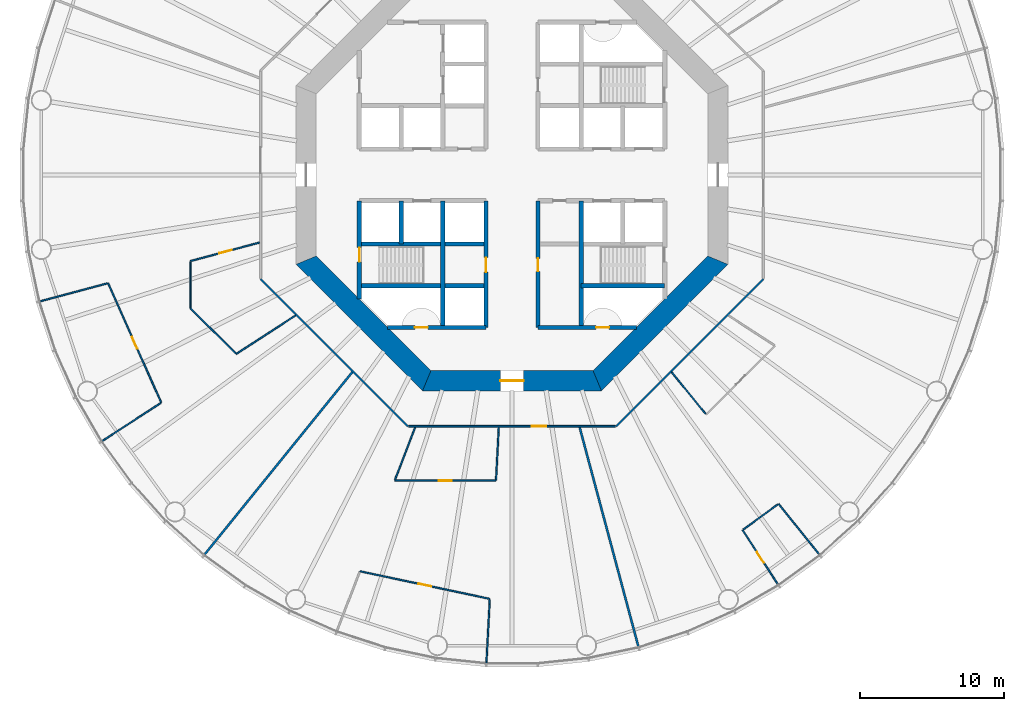
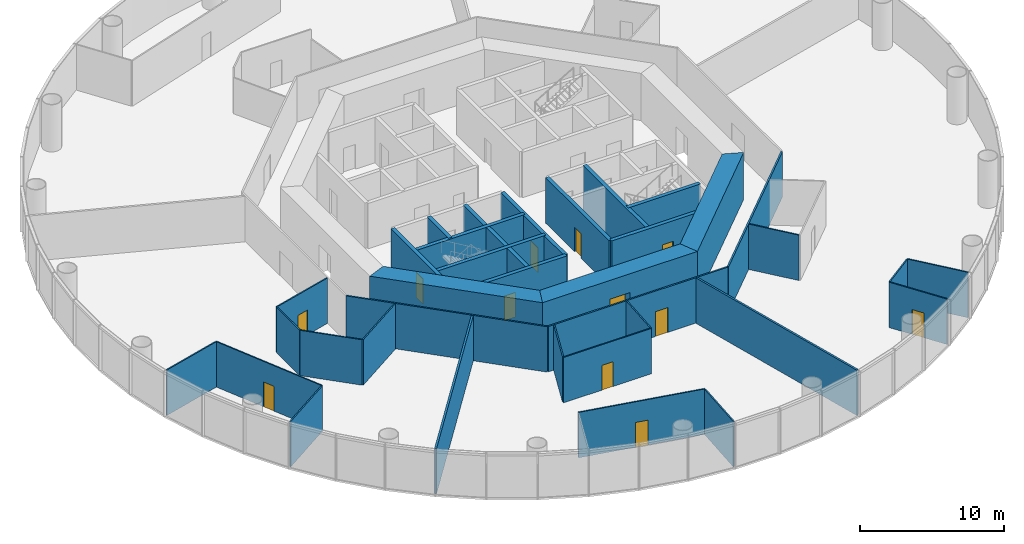
# One storey, part 3 of 13: 35 walls, 12 doors, 12 openings.
"""IFC4 building model written with IfcOpenShell, lengths in metres."""

from ifc_helpers import new_model, si_unit, direction, frame, frame_2d, origin, place, context, subcontext, project, spatial, polyline, rectangle, outline, extrude, material, layer, layer_set, type_object, element, fill, save


model = new_model("IFC4")

# Units and contexts
model_context = context("Model", 3, precision=1e-05, world=origin(), true_north=direction((0.0, 1.0)))
body_context = subcontext(model_context, "Body", "Model", "MODEL_VIEW")
ifc_project = project(units=[si_unit("LENGTHUNIT", "METRE"), si_unit("AREAUNIT", "SQUARE_METRE"), si_unit("VOLUMEUNIT", "CUBIC_METRE"), si_unit("PLANEANGLEUNIT", "RADIAN"), si_unit("MASSUNIT", "GRAM", prefix="KILO")], contexts=[model_context])

# Site, building, storey
site_placement = place(None, origin())
site = spatial("IfcSite", under=ifc_project, at=site_placement, CompositionType="ELEMENT")
building_placement = place(site_placement, origin())
building = spatial("IfcBuilding", under=site, at=building_placement, Name="Entoto Ring Tower", CompositionType="ELEMENT")
storey_placement = place(building_placement, frame((0.0, 0.0, 22.0)))
storey = spatial("IfcBuildingStorey", under=building, at=storey_placement, Name="L03", CompositionType="ELEMENT", Elevation=22.0)

# Wall
ifc_material_1 = material(Name="Concrete C40/50", Category="concrete")
ifc_layer_1 = layer(ifc_material_1, 0.300048828125)
ifc_layer_set_1 = layer_set([ifc_layer_1], Name="Concrete C40/50")
wall_type_1 = type_object("IfcWallType", Name="Core enclosure wall 300 mm reinforced concrete", PredefinedType="SOLIDWALL", material=ifc_layer_set_1)
wall_1_placement = place(storey_placement, frame((94.800048828125, 69.39990234375, 0.0), z_axis=(0.0, 0.0, 1.0), x_axis=(0.0, 1.0, 0.0)))
element("IfcWall", 1, at=wall_1_placement, inside=storey, type_object=wall_type_1, Name="wall-L03-005", PredefinedType="SOLIDWALL", context=body_context, shape_type="SweptSolid", body=[
    extrude(rectangle(XDim=8.800048828125, YDim=0.300048828125, at=frame_2d((4.39990234375, 0.0))), origin(), (0.0, 0.0, 1.0), 3.85009765625),
])

# Wall, opening, door
wall_2_placement = place(storey_placement, frame((91.800048828125, 69.39990234375, 0.0), z_axis=(0.0, 0.0, 1.0), x_axis=(0.0, 1.0, 0.0)))
wall_2 = element("IfcWall", 2, at=wall_2_placement, inside=storey, type_object=wall_type_1, Name="wall-L03-007", PredefinedType="SOLIDWALL", context=body_context, shape_type="SweptSolid", body=[
    extrude(rectangle(XDim=8.800048828125, YDim=0.300048828125, at=frame_2d((4.39990234375, 0.0))), origin(), (0.0, 0.0, 1.0), 3.85009765625),
])
opening_1_placement = place(wall_2_placement, frame((3.89990234375, 0.0, 0.0)))
opening_1 = element("IfcOpeningElement", 3, at=opening_1_placement, cuts=wall_2, Name="Opening K-12", PredefinedType="OPENING", context=body_context, shape_type="SweptSolid", body=[
    extrude(rectangle(XDim=0.89990234375, YDim=2.10009765625, at=frame_2d((0.449951171875, 1.050048828125))), frame((0.0, 0.16015625, 0.0), z_axis=(0.0, -1.0, 0.0), x_axis=(1.0, 0.0, 0.0)), (0.0, 0.0, 1.0), 0.320068359375),
])
ifc_material_2 = material(Name="Steel door leaf, fire rated", Category="steel")
ifc_layer_2 = layer(ifc_material_2, 0.050048828125)
ifc_layer_set_2 = layer_set([ifc_layer_2], Name="Steel door leaf, fire rated")
door_type_1 = type_object("IfcDoorType", Name="Core door 900 x 2100 single leaf", OperationType="NOTDEFINED", PredefinedType="DOOR", material=ifc_layer_set_2)
door_1_placement = place(opening_1_placement, frame((0.89990234375, 0.0, 0.0), z_axis=(0.0, 0.0, 1.0), x_axis=(-1.0, 0.0, 0.0)))
door_1 = element("IfcDoor", 4, at=door_1_placement, inside=storey, type_object=door_type_1, Name="Door K-12", OperationType="SINGLE_SWING_LEFT", OverallHeight=2.10009765625, OverallWidth=0.89990234375, PredefinedType="DOOR", context=body_context, shape_type="SweptSolid", body=[
    extrude(rectangle(XDim=0.89990234375, YDim=2.10009765625, at=frame_2d((0.449951171875, 1.050048828125))), frame((0.0, 0.02490234375, 0.0), z_axis=(0.0, -1.0, 0.0), x_axis=(1.0, 0.0, 0.0)), (0.0, 0.0, 1.0), 0.050048828125),
])
fill(opening_1, door_1)

wall_3_placement = place(storey_placement, frame((88.199951171875, 69.39990234375, 0.0), z_axis=(0.0, 0.0, 1.0), x_axis=(0.0, 1.0, 0.0)))
wall_3 = element("IfcWall", 5, at=wall_3_placement, inside=storey, type_object=wall_type_1, Name="wall-L03-009", PredefinedType="SOLIDWALL", context=body_context, shape_type="SweptSolid", body=[
    extrude(rectangle(XDim=8.800048828125, YDim=0.300048828125, at=frame_2d((4.39990234375, 0.0))), origin(), (0.0, 0.0, 1.0), 3.85009765625),
])
opening_2_placement = place(wall_3_placement, frame((3.85009765625, 0.0, 0.0)))
opening_2 = element("IfcOpeningElement", 6, at=opening_2_placement, cuts=wall_3, Name="Opening K-13", PredefinedType="OPENING", context=body_context, shape_type="SweptSolid", body=[
    extrude(rectangle(XDim=1.0, YDim=2.10009765625, at=frame_2d((0.5, 1.050048828125))), frame((0.0, 0.16015625, 0.0), z_axis=(0.0, -1.0, 0.0), x_axis=(1.0, 0.0, 0.0)), (0.0, 0.0, 1.0), 0.320068359375),
])
ifc_material_3 = material(Name="Steel door leaf, fire rated", Category="steel")
ifc_layer_3 = layer(ifc_material_3, 0.050048828125)
ifc_layer_set_3 = layer_set([ifc_layer_3], Name="Steel door leaf, fire rated")
door_type_2 = type_object("IfcDoorType", Name="Accessible door 1000 x 2100 single leaf", OperationType="NOTDEFINED", PredefinedType="DOOR", material=ifc_layer_set_3)
door_2_placement = place(opening_2_placement, origin())
door_2 = element("IfcDoor", 7, at=door_2_placement, inside=storey, type_object=door_type_2, Name="Door K-13", OperationType="SINGLE_SWING_LEFT", OverallHeight=2.10009765625, OverallWidth=1.0, PredefinedType="DOOR", context=body_context, shape_type="SweptSolid", body=[
    extrude(rectangle(XDim=1.0, YDim=2.10009765625, at=frame_2d((0.5, 1.050048828125))), frame((0.0, 0.02490234375, 0.0), z_axis=(0.0, -1.0, 0.0), x_axis=(1.0, 0.0, 0.0)), (0.0, 0.0, 1.0), 0.050048828125),
])
fill(opening_2, door_2)

# Walls
wall_4_placement = place(storey_placement, frame((85.199951171875, 69.39990234375, 0.0), z_axis=(0.0, 0.0, 1.0), x_axis=(0.0, 1.0, 0.0)))
element("IfcWall", 8, at=wall_4_placement, inside=storey, type_object=wall_type_1, Name="wall-L03-011", PredefinedType="SOLIDWALL", context=body_context, shape_type="SweptSolid", body=[
    extrude(rectangle(XDim=8.800048828125, YDim=0.300048828125, at=frame_2d((4.39990234375, 0.0))), origin(), (0.0, 0.0, 1.0), 3.85009765625),
])
wall_5_placement = place(storey_placement, frame((82.300048828125, 75.199951171875, 0.0), z_axis=(0.0, 0.0, 1.0), x_axis=(0.0, 1.0, 0.0)))
element("IfcWall", 9, at=wall_5_placement, inside=storey, type_object=wall_type_1, Name="wall-L03-013", PredefinedType="SOLIDWALL", context=body_context, shape_type="SweptSolid", body=[
    extrude(rectangle(XDim=3.0, YDim=0.300048828125, at=frame_2d((1.5, 0.0))), origin(), (0.0, 0.0, 1.0), 3.85009765625),
])

# Wall, opening, door
wall_6_placement = place(storey_placement, frame((79.39990234375, 71.36669921875, 0.0), z_axis=(0.0, 0.0, 1.0), x_axis=(0.0, 1.0, 0.0)))
wall_6 = element("IfcWall", 10, at=wall_6_placement, inside=storey, type_object=wall_type_1, Name="wall-L03-015", PredefinedType="SOLIDWALL", context=body_context, shape_type="SweptSolid", body=[
    extrude(rectangle(XDim=6.833251953125, YDim=0.300048828125, at=frame_2d((3.41650390625, 0.0))), origin(), (0.0, 0.0, 1.0), 3.85009765625),
])
opening_3_placement = place(wall_6_placement, frame((2.583251953125, 0.0, 0.0)))
opening_3 = element("IfcOpeningElement", 11, at=opening_3_placement, cuts=wall_6, Name="Opening K-17", PredefinedType="OPENING", context=body_context, shape_type="SweptSolid", body=[
    extrude(rectangle(XDim=1.0, YDim=2.10009765625, at=frame_2d((0.5, 1.050048828125))), frame((0.0, 0.16015625, 0.0), z_axis=(0.0, -1.0, 0.0), x_axis=(1.0, 0.0, 0.0)), (0.0, 0.0, 1.0), 0.320068359375),
])
ifc_material_4 = material(Name="Steel door leaf, fire rated", Category="steel")
ifc_layer_4 = layer(ifc_material_4, 0.050048828125)
ifc_layer_set_4 = layer_set([ifc_layer_4], Name="Steel door leaf, fire rated")
door_type_3 = type_object("IfcDoorType", Name="Fire door FD60 1000 x 2100 single leaf", OperationType="NOTDEFINED", PredefinedType="DOOR", material=ifc_layer_set_4)
door_3_placement = place(opening_3_placement, frame((1.0, 0.0, 0.0), z_axis=(0.0, 0.0, 1.0), x_axis=(-1.0, 0.0, 0.0)))
door_3 = element("IfcDoor", 12, at=door_3_placement, inside=storey, type_object=door_type_3, Name="Door K-17", OperationType="SINGLE_SWING_LEFT", OverallHeight=2.10009765625, OverallWidth=1.0, PredefinedType="DOOR", context=body_context, shape_type="SweptSolid", body=[
    extrude(rectangle(XDim=1.0, YDim=2.10009765625, at=frame_2d((0.5, 1.050048828125))), frame((0.0, 0.02490234375, 0.0), z_axis=(0.0, -1.0, 0.0), x_axis=(1.0, 0.0, 0.0)), (0.0, 0.0, 1.0), 0.050048828125),
])
fill(opening_3, door_3)

wall_7_placement = place(storey_placement, frame((81.36669921875, 69.39990234375, 0.0), z_axis=(0.0, 0.0, 1.0), x_axis=(1.0, 0.0, 0.0)))
wall_7 = element("IfcWall", 13, at=wall_7_placement, inside=storey, type_object=wall_type_1, Name="wall-L03-017", PredefinedType="SOLIDWALL", context=body_context, shape_type="SweptSolid", body=[
    extrude(rectangle(XDim=6.833251953125, YDim=0.300048828125, at=frame_2d((3.41650390625, 0.0))), origin(), (0.0, 0.0, 1.0), 3.85009765625),
])
opening_4_placement = place(wall_7_placement, frame((1.88330078125, 0.0, 0.0)))
opening_4 = element("IfcOpeningElement", 14, at=opening_4_placement, cuts=wall_7, Name="Opening K-20", PredefinedType="OPENING", context=body_context, shape_type="SweptSolid", body=[
    extrude(rectangle(XDim=0.89990234375, YDim=2.10009765625, at=frame_2d((0.449951171875, 1.050048828125))), frame((0.0, 0.16015625, 0.0), z_axis=(0.0, -1.0, 0.0), x_axis=(1.0, 0.0, 0.0)), (0.0, 0.0, 1.0), 0.320068359375),
])
ifc_material_5 = material(Name="Steel door leaf, fire rated", Category="steel")
ifc_layer_5 = layer(ifc_material_5, 0.050048828125)
ifc_layer_set_5 = layer_set([ifc_layer_5], Name="Steel door leaf, fire rated")
door_type_4 = type_object("IfcDoorType", Name="Riser door FD60 900 x 2100 single leaf", OperationType="NOTDEFINED", PredefinedType="DOOR", material=ifc_layer_set_5)
door_4_placement = place(opening_4_placement, origin())
door_4 = element("IfcDoor", 15, at=door_4_placement, inside=storey, type_object=door_type_4, Name="Door K-20", OperationType="SINGLE_SWING_RIGHT", OverallHeight=2.10009765625, OverallWidth=0.89990234375, PredefinedType="DOOR", context=body_context, shape_type="SweptSolid", body=[
    extrude(rectangle(XDim=0.89990234375, YDim=2.10009765625, at=frame_2d((0.449951171875, 1.050048828125))), frame((0.0, 0.02490234375, 0.0), z_axis=(0.0, -1.0, 0.0), x_axis=(1.0, 0.0, 0.0)), (0.0, 0.0, 1.0), 0.050048828125),
])
fill(opening_4, door_4)

wall_8_placement = place(storey_placement, frame((91.800048828125, 69.39990234375, 0.0), z_axis=(0.0, 0.0, 1.0), x_axis=(1.0, 0.0, 0.0)))
wall_8 = element("IfcWall", 16, at=wall_8_placement, inside=storey, type_object=wall_type_1, Name="wall-L03-018", PredefinedType="SOLIDWALL", context=body_context, shape_type="SweptSolid", body=[
    extrude(rectangle(XDim=6.833251953125, YDim=0.300048828125, at=frame_2d((3.41650390625, 0.0))), origin(), (0.0, 0.0, 1.0), 3.85009765625),
])
opening_5_placement = place(wall_8_placement, frame((4.050048828125, 0.0, 0.0)))
opening_5 = element("IfcOpeningElement", 17, at=opening_5_placement, cuts=wall_8, Name="Opening K-66", PredefinedType="OPENING", context=body_context, shape_type="SweptSolid", body=[
    extrude(rectangle(XDim=0.89990234375, YDim=2.10009765625, at=frame_2d((0.449951171875, 1.050048828125))), frame((0.0, 0.16015625, 0.0), z_axis=(0.0, -1.0, 0.0), x_axis=(1.0, 0.0, 0.0)), (0.0, 0.0, 1.0), 0.320068359375),
])
door_5_placement = place(opening_5_placement, origin())
door_5 = element("IfcDoor", 18, at=door_5_placement, inside=storey, type_object=door_type_4, Name="Door K-66", OperationType="SINGLE_SWING_LEFT", OverallHeight=2.10009765625, OverallWidth=0.89990234375, PredefinedType="DOOR", context=body_context, shape_type="SweptSolid", body=[
    extrude(rectangle(XDim=0.89990234375, YDim=2.10009765625, at=frame_2d((0.449951171875, 1.050048828125))), frame((0.0, 0.02490234375, 0.0), z_axis=(0.0, -1.0, 0.0), x_axis=(1.0, 0.0, 0.0)), (0.0, 0.0, 1.0), 0.050048828125),
])
fill(opening_5, door_5)

# Walls
wall_9_placement = place(storey_placement, frame((79.39990234375, 72.300048828125, 0.0), z_axis=(0.0, 0.0, 1.0), x_axis=(1.0, 0.0, 0.0)))
element("IfcWall", 19, at=wall_9_placement, inside=storey, type_object=wall_type_1, Name="wall-L03-019", PredefinedType="SOLIDWALL", context=body_context, shape_type="SweptSolid", body=[
    extrude(rectangle(XDim=8.800048828125, YDim=0.300048828125, at=frame_2d((4.39990234375, 0.0))), origin(), (0.0, 0.0, 1.0), 3.85009765625),
])
wall_10_placement = place(storey_placement, frame((94.800048828125, 72.300048828125, 0.0), z_axis=(0.0, 0.0, 1.0), x_axis=(1.0, 0.0, 0.0)))
element("IfcWall", 20, at=wall_10_placement, inside=storey, type_object=wall_type_1, Name="wall-L03-020", PredefinedType="SOLIDWALL", context=body_context, shape_type="SweptSolid", body=[
    extrude(rectangle(XDim=5.800048828125, YDim=0.300048828125, at=frame_2d((2.89990234375, 0.0))), origin(), (0.0, 0.0, 1.0), 3.85009765625),
])
wall_11_placement = place(storey_placement, frame((79.39990234375, 75.199951171875, 0.0), z_axis=(0.0, 0.0, 1.0), x_axis=(1.0, 0.0, 0.0)))
element("IfcWall", 21, at=wall_11_placement, inside=storey, type_object=wall_type_1, Name="wall-L03-021", PredefinedType="SOLIDWALL", context=body_context, shape_type="SweptSolid", body=[
    extrude(rectangle(XDim=8.800048828125, YDim=0.300048828125, at=frame_2d((4.39990234375, 0.0))), origin(), (0.0, 0.0, 1.0), 3.85009765625),
])
ifc_material_6 = material(Name="Concrete C60/75", Category="concrete")
ifc_layer_6 = layer(ifc_material_6, 1.39990234375)
ifc_layer_set_6 = layer_set([ifc_layer_6], Name="Concrete C60/75")
wall_type_2 = type_object("IfcWallType", Name="Core shear wall 1400 mm reinforced concrete C60/75", PredefinedType="SHEAR", material=ifc_layer_set_6)
wall_12_placement = place(storey_placement, frame((75.699951171875, 74.07666015625, 0.0), z_axis=(0.0, 0.0, 1.0), x_axis=(0.707106781187, -0.707106781187, 0.0)))
element("IfcWall", 22, at=wall_12_placement, inside=storey, type_object=wall_type_2, Name="wall-L03-core-5", PredefinedType="SHEAR", context=body_context, shape_type="SweptSolid", body=[
    extrude(outline(polyline([(-0.2900390625, -0.699951171875), (12.136474609375, -0.699951171875), (11.556396484375, 0.699951171875), (0.2900390625, 0.699951171875), (-0.2900390625, -0.699951171875)])), origin(), (0.0, 0.0, 1.0), 4.0),
])

# Wall, opening, door
wall_13_placement = place(storey_placement, frame((84.07666015625, 65.699951171875, 0.0), z_axis=(0.0, 0.0, 1.0), x_axis=(1.0, 0.0, 0.0)))
wall_13 = element("IfcWall", 23, at=wall_13_placement, inside=storey, type_object=wall_type_2, Name="wall-L03-core-6", PredefinedType="SHEAR", context=body_context, shape_type="SweptSolid", body=[
    extrude(outline(polyline([(-0.2900390625, -0.699951171875), (12.13671875, -0.699951171875), (11.556640625, 0.699951171875), (0.2900390625, 0.699951171875), (-0.2900390625, -0.699951171875)])), origin(), (0.0, 0.0, 1.0), 4.0),
])
opening_6_placement = place(wall_13_placement, frame((5.123291015625, 0.0, 0.0)))
opening_6 = element("IfcOpeningElement", 24, at=opening_6_placement, cuts=wall_13, Name="Opening K-04", PredefinedType="OPENING", context=body_context, shape_type="SweptSolid", body=[
    extrude(rectangle(XDim=1.60009765625, YDim=2.39990234375, at=frame_2d((0.800048828125, 1.199951171875))), frame((0.0, 0.7099609375, 0.0), z_axis=(0.0, -1.0, 0.0), x_axis=(1.0, 0.0, 0.0)), (0.0, 0.0, 1.0), 1.419921875),
])
ifc_material_7 = material(Name="Steel door leaf, fire rated", Category="steel")
ifc_layer_7 = layer(ifc_material_7, 0.050048828125)
ifc_layer_set_7 = layer_set([ifc_layer_7], Name="Steel door leaf, fire rated")
door_type_5 = type_object("IfcDoorType", Name="Entrance door FD60 1600 x 2400 double leaf", OperationType="DOUBLE_DOOR_SINGLE_SWING", PredefinedType="DOOR", material=ifc_layer_set_7)
door_6_placement = place(opening_6_placement, origin())
door_6 = element("IfcDoor", 25, at=door_6_placement, inside=storey, type_object=door_type_5, Name="Entrance door K-04", OperationType="DOUBLE_DOOR_SINGLE_SWING", OverallHeight=2.39990234375, OverallWidth=1.60009765625, PredefinedType="DOOR", context=body_context, shape_type="SweptSolid", body=[
    extrude(rectangle(XDim=1.60009765625, YDim=2.39990234375, at=frame_2d((0.800048828125, 1.199951171875))), frame((0.0, 0.02490234375, 0.0), z_axis=(0.0, -1.0, 0.0), x_axis=(1.0, 0.0, 0.0)), (0.0, 0.0, 1.0), 0.050048828125),
])
fill(opening_6, door_6)

# Walls
wall_14_placement = place(storey_placement, frame((95.92333984375, 65.699951171875, 0.0), z_axis=(0.0, 0.0, 1.0), x_axis=(0.707106781187, 0.707106781187, 0.0)))
element("IfcWall", 26, at=wall_14_placement, inside=storey, type_object=wall_type_2, Name="wall-L03-core-7", PredefinedType="SHEAR", context=body_context, shape_type="SweptSolid", body=[
    extrude(outline(polyline([(-0.2900390625, -0.699951171875), (12.136474609375, -0.699951171875), (11.556396484375, 0.699951171875), (0.2900390625, 0.699951171875), (-0.2900390625, -0.699951171875)])), origin(), (0.0, 0.0, 1.0), 4.0),
])
ifc_material_8 = material(Name="Fire-resisting plasterboard on steel studs", Category="steel")
ifc_layer_8 = layer(ifc_material_8, 0.125)
ifc_layer_set_8 = layer_set([ifc_layer_8], Name="Fire-resisting plasterboard on steel studs")
wall_type_3 = type_object("IfcWallType", Name="Corridor wall 125 mm one-hour plasterboard on steel studs", PredefinedType="PARTITIONING", material=ifc_layer_set_8)
for number, where, z_axis, x_axis, name in (
    (27, (82.766845703125, 62.53759765625, 0.0), (0.0, 0.0, 1.0), (-0.707106781187, 0.707106781187, 0.0), "partition-L03-002"),
    (28, (97.233154296875, 62.53759765625, 0.0), (0.0, 0.0, 1.0), (0.707106781187, 0.707106781187, 0.0), "partition-L03-003"),
):
    element("IfcWall", number, at=place(storey_placement, frame(where, z_axis=z_axis, x_axis=x_axis)), inside=storey, type_object=wall_type_3, Name=name, PredefinedType="PARTITIONING", context=body_context, shape_type="SweptSolid", body=[
        extrude(rectangle(XDim=14.46630859375, YDim=0.125, at=frame_2d((7.233154296875, 0.0))), origin(), (0.0, 0.0, 1.0), 3.85009765625),
    ])

# Wall, opening, door
wall_15_placement = place(storey_placement, frame((82.810791015625, 62.53759765625, 0.0), z_axis=(0.0, 0.0, 1.0), x_axis=(1.0, 0.0, 0.0)))
wall_15 = element("IfcWall", 29, at=wall_15_placement, inside=storey, type_object=wall_type_3, Name="partition-L03-006", PredefinedType="PARTITIONING", context=body_context, shape_type="SweptSolid", body=[
    extrude(rectangle(XDim=14.37841796875, YDim=0.125, at=frame_2d((7.189208984375, 0.0))), origin(), (0.0, 0.0, 1.0), 3.85009765625),
])
opening_7_placement = place(wall_15_placement, frame((8.5712890625, 0.0, 0.0)))
opening_7 = element("IfcOpeningElement", 30, at=opening_7_placement, cuts=wall_15, Name="Opening A02-D08", PredefinedType="OPENING", context=body_context, shape_type="SweptSolid", body=[
    extrude(rectangle(XDim=1.0, YDim=2.10009765625, at=frame_2d((0.5, 1.050048828125))), frame((0.0, 0.072509765625, 0.0), z_axis=(0.0, -1.0, 0.0), x_axis=(1.0, 0.0, 0.0)), (0.0, 0.0, 1.0), 0.14501953125),
])
ifc_material_9 = material(Name="Fire-resisting timber door set", Category="wood")
door_type_6 = type_object("IfcDoorType", Name="Door 1000 x 2100 single leaf FD30S fire door", OperationType="NOTDEFINED", PredefinedType="DOOR", material=ifc_material_9)
door_7_placement = place(opening_7_placement, frame((1.0, 0.0, 0.0), z_axis=(0.0, 0.0, 1.0), x_axis=(-1.0, 0.0, 0.0)))
door_7 = element("IfcDoor", 31, at=door_7_placement, inside=storey, type_object=door_type_6, Name="Door A02-D08", OperationType="SINGLE_SWING_RIGHT", OverallHeight=2.10009765625, OverallWidth=1.0, PredefinedType="DOOR", context=body_context, shape_type="SweptSolid", body=[
    extrude(rectangle(XDim=1.0, YDim=2.10009765625, at=frame_2d((0.5, 1.050048828125))), frame((0.0, 0.02490234375, 0.0), z_axis=(0.0, -1.0, 0.0), x_axis=(1.0, 0.0, 0.0)), (0.0, 0.0, 1.0), 0.050048828125),
])
fill(opening_7, door_7)

ifc_material_10 = material(Name="Plasterboard on steel studs", Category="steel")
ifc_layer_9 = layer(ifc_material_10, 0.10009765625)
ifc_layer_set_9 = layer_set([ifc_layer_9], Name="Plasterboard on steel studs")
wall_type_4 = type_object("IfcWallType", Name="Partition 100 mm plasterboard on steel studs", PredefinedType="PARTITIONING", material=ifc_layer_set_9)
wall_16_placement = place(storey_placement, frame((88.45654296875, 50.55029296875, 0.0), z_axis=(0.0, 0.0, 1.0), x_axis=(-0.978144188125, 0.207927745233, 0.0)))
wall_16 = element("IfcWall", 32, at=wall_16_placement, inside=storey, type_object=wall_type_4, Name="partition-L03-015", PredefinedType="PARTITIONING", context=body_context, shape_type="SweptSolid", body=[
    extrude(rectangle(XDim=9.2265625, YDim=0.10009765625, at=frame_2d((4.61328125, 0.0))), origin(), (0.0, 0.0, 1.0), 3.85009765625),
])
opening_8_placement = place(wall_16_placement, frame((4.163330078125, 0.0, 0.0)))
opening_8 = element("IfcOpeningElement", 33, at=opening_8_placement, cuts=wall_16, Name="Opening A02-D10", PredefinedType="OPENING", context=body_context, shape_type="SweptSolid", body=[
    extrude(rectangle(XDim=0.89990234375, YDim=2.10009765625, at=frame_2d((0.449951171875, 1.050048828125))), frame((0.0, 0.06005859375, 0.0), z_axis=(0.0, -1.0, 0.0), x_axis=(1.0, 0.0, 0.0)), (0.0, 0.0, 1.0), 0.1201171875),
])
ifc_material_11 = material(Name="Veneered timber door leaf in timber frame", Category="wood")
door_type_7 = type_object("IfcDoorType", Name="Door 900 x 2100 single leaf timber veneer", OperationType="NOTDEFINED", PredefinedType="DOOR", material=ifc_material_11)
door_8_placement = place(opening_8_placement, origin())
door_8 = element("IfcDoor", 34, at=door_8_placement, inside=storey, type_object=door_type_7, Name="Door A02-D10", OperationType="SINGLE_SWING_RIGHT", OverallHeight=2.10009765625, OverallWidth=0.89990234375, PredefinedType="DOOR", context=body_context, shape_type="SweptSolid", body=[
    extrude(rectangle(XDim=0.89990234375, YDim=2.10009765625, at=frame_2d((0.449951171875, 1.050048828125))), frame((0.0, 0.02490234375, 0.0), z_axis=(0.0, -1.0, 0.0), x_axis=(1.0, 0.0, 0.0)), (0.0, 0.0, 1.0), 0.050048828125),
])
fill(opening_8, door_8)

wall_17_placement = place(storey_placement, frame((65.63671875, 64.17822265625, 0.0), z_axis=(0.0, 0.0, 1.0), x_axis=(-0.406741522139, 0.913543285328, 0.0)))
wall_17 = element("IfcWall", 35, at=wall_17_placement, inside=storey, type_object=wall_type_4, Name="partition-L03-016", PredefinedType="PARTITIONING", context=body_context, shape_type="SweptSolid", body=[
    extrude(rectangle(XDim=9.0888671875, YDim=0.10009765625, at=frame_2d((4.54443359375, 0.0))), origin(), (0.0, 0.0, 1.0), 3.85009765625),
])
opening_9_placement = place(wall_17_placement, frame((4.094482421875, 0.0, 0.0)))
opening_9 = element("IfcOpeningElement", 36, at=opening_9_placement, cuts=wall_17, Name="Opening A02-D07", PredefinedType="OPENING", context=body_context, shape_type="SweptSolid", body=[
    extrude(rectangle(XDim=0.89990234375, YDim=2.10009765625, at=frame_2d((0.449951171875, 1.050048828125))), frame((0.0, 0.06005859375, 0.0), z_axis=(0.0, -1.0, 0.0), x_axis=(1.0, 0.0, 0.0)), (0.0, 0.0, 1.0), 0.1201171875),
])
door_9_placement = place(opening_9_placement, origin())
door_9 = element("IfcDoor", 37, at=door_9_placement, inside=storey, type_object=door_type_7, Name="Door A02-D07", OperationType="SINGLE_SWING_LEFT", OverallHeight=2.10009765625, OverallWidth=0.89990234375, PredefinedType="DOOR", context=body_context, shape_type="SweptSolid", body=[
    extrude(rectangle(XDim=0.89990234375, YDim=2.10009765625, at=frame_2d((0.449951171875, 1.050048828125))), frame((0.0, 0.02490234375, 0.0), z_axis=(0.0, -1.0, 0.0), x_axis=(1.0, 0.0, 0.0)), (0.0, 0.0, 1.0), 0.050048828125),
])
fill(opening_9, door_9)

wall_18_placement = place(storey_placement, frame((81.845703125, 58.757568359375, 0.0), z_axis=(0.0, 0.0, 1.0), x_axis=(1.0, 0.0, 0.0)))
wall_18 = element("IfcWall", 38, at=wall_18_placement, inside=storey, type_object=wall_type_4, Name="partition-L03-017", PredefinedType="PARTITIONING", context=body_context, shape_type="SweptSolid", body=[
    extrude(rectangle(XDim=7.041015625, YDim=0.10009765625, at=frame_2d((3.5205078125, 0.0))), origin(), (0.0, 0.0, 1.0), 3.85009765625),
])
opening_10_placement = place(wall_18_placement, frame((3.070556640625, 0.0, 0.0)))
opening_10 = element("IfcOpeningElement", 39, at=opening_10_placement, cuts=wall_18, Name="Opening A02-D09", PredefinedType="OPENING", context=body_context, shape_type="SweptSolid", body=[
    extrude(rectangle(XDim=0.89990234375, YDim=2.10009765625, at=frame_2d((0.449951171875, 1.050048828125))), frame((0.0, 0.06005859375, 0.0), z_axis=(0.0, -1.0, 0.0), x_axis=(1.0, 0.0, 0.0)), (0.0, 0.0, 1.0), 0.1201171875),
])
door_10_placement = place(opening_10_placement, origin())
door_10 = element("IfcDoor", 40, at=door_10_placement, inside=storey, type_object=door_type_7, Name="Door A02-D09", OperationType="SINGLE_SWING_LEFT", OverallHeight=2.10009765625, OverallWidth=0.89990234375, PredefinedType="DOOR", context=body_context, shape_type="SweptSolid", body=[
    extrude(rectangle(XDim=0.89990234375, YDim=2.10009765625, at=frame_2d((0.449951171875, 1.050048828125))), frame((0.0, 0.02490234375, 0.0), z_axis=(0.0, -1.0, 0.0), x_axis=(1.0, 0.0, 0.0)), (0.0, 0.0, 1.0), 0.050048828125),
])
fill(opening_10, door_10)

wall_19_placement = place(storey_placement, frame((67.66748046875, 74.01611328125, 0.0), z_axis=(0.0, 0.0, 1.0), x_axis=(0.965928951755, 0.258807380423, 0.0)))
wall_19 = element("IfcWall", 41, at=wall_19_placement, inside=storey, type_object=wall_type_4, Name="partition-L03-020", PredefinedType="PARTITIONING", context=body_context, shape_type="SweptSolid", body=[
    extrude(rectangle(XDim=4.9638671875, YDim=0.10009765625, at=frame_2d((2.48193359375, 0.0))), origin(), (0.0, 0.0, 1.0), 3.85009765625),
])
opening_11_placement = place(wall_19_placement, frame((2.07080078125, 0.0, 0.0)))
opening_11 = element("IfcOpeningElement", 42, at=opening_11_placement, cuts=wall_19, Name="Opening A02-D06", PredefinedType="OPENING", context=body_context, shape_type="SweptSolid", body=[
    extrude(rectangle(XDim=0.89990234375, YDim=2.10009765625, at=frame_2d((0.449951171875, 1.050048828125))), frame((0.0, 0.06005859375, 0.0), z_axis=(0.0, -1.0, 0.0), x_axis=(1.0, 0.0, 0.0)), (0.0, 0.0, 1.0), 0.1201171875),
])
door_11_placement = place(opening_11_placement, frame((0.89990234375, 0.0, 0.0), z_axis=(0.0, 0.0, 1.0), x_axis=(-1.0, 0.0, 0.0)))
door_11 = element("IfcDoor", 43, at=door_11_placement, inside=storey, type_object=door_type_7, Name="Door A02-D06", OperationType="SINGLE_SWING_LEFT", OverallHeight=2.10009765625, OverallWidth=0.89990234375, PredefinedType="DOOR", context=body_context, shape_type="SweptSolid", body=[
    extrude(rectangle(XDim=0.89990234375, YDim=2.10009765625, at=frame_2d((0.449951171875, 1.050048828125))), frame((0.0, 0.02490234375, 0.0), z_axis=(0.0, -1.0, 0.0), x_axis=(1.0, 0.0, 0.0)), (0.0, 0.0, 1.0), 0.050048828125),
])
fill(opening_11, door_11)

# Walls
wall_20_placement = place(storey_placement, frame((70.85205078125, 67.565185546875, 0.0), z_axis=(0.0, 0.0, 1.0), x_axis=(0.83868352276, 0.544619085831, 0.0)))
element("IfcWall", 44, at=wall_20_placement, inside=storey, type_object=wall_type_4, Name="partition-L03-021", PredefinedType="PARTITIONING", context=body_context, shape_type="SweptSolid", body=[
    extrude(rectangle(XDim=4.904052734375, YDim=0.10009765625, at=frame_2d((2.4521484375, 0.0))), origin(), (0.0, 0.0, 1.0), 3.85009765625),
])
wall_21_placement = place(storey_placement, frame((57.216552734375, 71.2158203125, 0.0), z_axis=(0.0, 0.0, 1.0), x_axis=(0.965932067473, 0.258795751564, 0.0)))
element("IfcWall", 45, at=wall_21_placement, inside=storey, type_object=wall_type_4, Name="partition-L03-022", PredefinedType="PARTITIONING", context=body_context, shape_type="SweptSolid", body=[
    extrude(rectangle(XDim=4.84033203125, YDim=0.10009765625, at=frame_2d((2.420166015625, 0.0))), origin(), (0.0, 0.0, 1.0), 3.85009765625),
])
wall_22_placement = place(storey_placement, frame((61.535400390625, 61.514892578125, 0.0), z_axis=(0.0, 0.0, 1.0), x_axis=(0.838670541851, 0.544639075197, 0.0)))
element("IfcWall", 46, at=wall_22_placement, inside=storey, type_object=wall_type_4, Name="partition-L03-023", PredefinedType="PARTITIONING", context=body_context, shape_type="SweptSolid", body=[
    extrude(rectangle(XDim=4.8408203125, YDim=0.10009765625, at=frame_2d((2.42041015625, 0.0))), origin(), (0.0, 0.0, 1.0), 3.85009765625),
])

# Wall, opening, door
wall_23_placement = place(storey_placement, frame((108.485107421875, 51.535400390625, 0.0), z_axis=(0.0, 0.0, 1.0), x_axis=(-0.544635965926, 0.838672561027, 0.0)))
wall_23 = element("IfcWall", 47, at=wall_23_placement, inside=storey, type_object=wall_type_4, Name="partition-L03-028", PredefinedType="PARTITIONING", context=body_context, shape_type="SweptSolid", body=[
    extrude(rectangle(XDim=4.5302734375, YDim=0.10009765625, at=frame_2d((2.26513671875, 0.0))), origin(), (0.0, 0.0, 1.0), 3.85009765625),
])
opening_12_placement = place(wall_23_placement, frame((1.81494140625, 0.0, 0.0)))
opening_12 = element("IfcOpeningElement", 48, at=opening_12_placement, cuts=wall_23, Name="Opening A02-D13", PredefinedType="OPENING", context=body_context, shape_type="SweptSolid", body=[
    extrude(rectangle(XDim=0.89990234375, YDim=2.10009765625, at=frame_2d((0.449951171875, 1.050048828125))), frame((0.0, 0.06005859375, 0.0), z_axis=(0.0, -1.0, 0.0), x_axis=(1.0, 0.0, 0.0)), (0.0, 0.0, 1.0), 0.1201171875),
])
door_12_placement = place(opening_12_placement, frame((0.89990234375, 0.0, 0.0), z_axis=(0.0, 0.0, 1.0), x_axis=(-1.0, 0.0, 0.0)))
door_12 = element("IfcDoor", 49, at=door_12_placement, inside=storey, type_object=door_type_7, Name="Door A02-D13", OperationType="SINGLE_SWING_RIGHT", OverallHeight=2.10009765625, OverallWidth=0.89990234375, PredefinedType="DOOR", context=body_context, shape_type="SweptSolid", body=[
    extrude(rectangle(XDim=0.89990234375, YDim=2.10009765625, at=frame_2d((0.449951171875, 1.050048828125))), frame((0.0, 0.02490234375, 0.0), z_axis=(0.0, -1.0, 0.0), x_axis=(1.0, 0.0, 0.0)), (0.0, 0.0, 1.0), 0.050048828125),
])
fill(opening_12, door_12)

# Walls
wall_24_placement = place(storey_placement, frame((111.359130859375, 53.623779296875, 0.0), z_axis=(0.0, 0.0, 1.0), x_axis=(-0.629343958382, 0.777126876416, 0.0)))
element("IfcWall", 50, at=wall_24_placement, inside=storey, type_object=wall_type_4, Name="partition-L03-029", PredefinedType="PARTITIONING", context=body_context, shape_type="SweptSolid", body=[
    extrude(rectangle(XDim=4.52978515625, YDim=0.10009765625, at=frame_2d((2.264892578125, 0.0))), origin(), (0.0, 0.0, 1.0), 3.85009765625),
])
wall_25_placement = place(storey_placement, frame((70.8173828125, 67.599609375, 0.0), z_axis=(0.0, 0.0, 1.0), x_axis=(-0.707106781187, 0.707106781187, 0.0)))
element("IfcWall", 51, at=wall_25_placement, inside=storey, type_object=wall_type_4, Name="partition-L03-031", PredefinedType="PARTITIONING", context=body_context, shape_type="SweptSolid", body=[
    extrude(rectangle(XDim=4.45458984375, YDim=0.10009765625, at=frame_2d((2.227294921875, 0.0))), origin(), (0.0, 0.0, 1.0), 3.85009765625),
])
wall_26_placement = place(storey_placement, frame((88.2236328125, 46.1064453125, 0.0), z_axis=(0.0, 0.0, 1.0), x_axis=(0.05236956932, 0.998627772601, 0.0)))
element("IfcWall", 52, at=wall_26_placement, inside=storey, type_object=wall_type_4, Name="partition-L03-035", PredefinedType="PARTITIONING", context=body_context, shape_type="SweptSolid", body=[
    extrude(rectangle(XDim=4.40087890625, YDim=0.10009765625, at=frame_2d((2.200439453125, 0.0))), origin(), (0.0, 0.0, 1.0), 3.85009765625),
])
wall_27_placement = place(storey_placement, frame((81.871826171875, 58.8251953125, 0.0), z_axis=(0.0, 0.0, 1.0), x_axis=(0.35838188277, 0.933575077914, 0.0)))
element("IfcWall", 53, at=wall_27_placement, inside=storey, type_object=wall_type_4, Name="partition-L03-038", PredefinedType="PARTITIONING", context=body_context, shape_type="SweptSolid", body=[
    extrude(rectangle(XDim=3.890625, YDim=0.10009765625, at=frame_2d((1.9453125, 0.0))), origin(), (0.0, 0.0, 1.0), 3.85009765625),
])
wall_28_placement = place(storey_placement, frame((103.445068359375, 63.396728515625, 0.0), z_axis=(0.0, 0.0, 1.0), x_axis=(-0.62928841908, 0.777171850759, 0.0)))
element("IfcWall", 54, at=wall_28_placement, inside=storey, type_object=wall_type_4, Name="partition-L03-040", PredefinedType="PARTITIONING", context=body_context, shape_type="SweptSolid", body=[
    extrude(rectangle(XDim=3.737548828125, YDim=0.10009765625, at=frame_2d((1.86865234375, 0.0))), origin(), (0.0, 0.0, 1.0), 3.85009765625),
])
wall_29_placement = place(storey_placement, frame((88.889404296875, 58.807373046875, 0.0), z_axis=(0.0, 0.0, 1.0), x_axis=(0.052286494193, 0.998632125723, 0.0)))
element("IfcWall", 55, at=wall_29_placement, inside=storey, type_object=wall_type_4, Name="partition-L03-041", PredefinedType="PARTITIONING", context=body_context, shape_type="SweptSolid", body=[
    extrude(rectangle(XDim=3.670166015625, YDim=0.10009765625, at=frame_2d((1.8349609375, 0.0))), origin(), (0.0, 0.0, 1.0), 3.85009765625),
])
wall_30_placement = place(storey_placement, frame((67.66748046875, 70.78466796875, 0.0), z_axis=(0.0, 0.0, 1.0), x_axis=(0.0, 1.0, 0.0)))
element("IfcWall", 56, at=wall_30_placement, inside=storey, type_object=wall_type_4, Name="partition-L03-042", PredefinedType="PARTITIONING", context=body_context, shape_type="SweptSolid", body=[
    extrude(rectangle(XDim=3.183349609375, YDim=0.10009765625, at=frame_2d((1.591796875, 0.0))), origin(), (0.0, 0.0, 1.0), 3.85009765625),
])
wall_31_placement = place(storey_placement, frame((106.05810546875, 55.364013671875, 0.0), z_axis=(0.0, 0.0, 1.0), x_axis=(0.809044326518, 0.587747630986, 0.0)))
element("IfcWall", 57, at=wall_31_placement, inside=storey, type_object=wall_type_4, Name="partition-L03-044", PredefinedType="PARTITIONING", context=body_context, shape_type="SweptSolid", body=[
    extrude(rectangle(XDim=2.978759765625, YDim=0.10009765625, at=frame_2d((1.4892578125, 0.0))), origin(), (0.0, 0.0, 1.0), 3.85009765625),
])
ifc_material_12 = material(Name="Fire-resisting acoustic plasterboard on steel studs", Category="steel")
ifc_layer_10 = layer(ifc_material_12, 0.14990234375)
ifc_layer_set_10 = layer_set([ifc_layer_10], Name="Fire-resisting acoustic plasterboard on steel studs")
wall_type_5 = type_object("IfcWallType", Name="Party wall 150 mm one-hour acoustic plasterboard on steel studs", PredefinedType="PARTITIONING", material=ifc_layer_set_10)
wall_32_placement = place(storey_placement, frame((68.640869140625, 53.623779296875, 0.0), z_axis=(0.0, 0.0, 1.0), x_axis=(0.629327829123, 0.777139938165, 0.0)))
element("IfcWall", 58, at=wall_32_placement, inside=storey, type_object=wall_type_5, Name="partition-L03-009", PredefinedType="PARTITIONING", context=body_context, shape_type="SweptSolid", body=[
    extrude(rectangle(XDim=16.310546875, YDim=0.14990234375, at=frame_2d((8.1552734375, 0.0))), origin(), (0.0, 0.0, 1.0), 3.85009765625),
])
wall_33_placement = place(storey_placement, frame((98.7841796875, 47.216552734375, 0.0), z_axis=(0.0, 0.0, 1.0), x_axis=(-0.258813434598, 0.965927329602, 0.0)))
element("IfcWall", 59, at=wall_33_placement, inside=storey, type_object=wall_type_5, Name="partition-L03-010", PredefinedType="PARTITIONING", context=body_context, shape_type="SweptSolid", body=[
    extrude(rectangle(XDim=15.77685546875, YDim=0.14990234375, at=frame_2d((7.888427734375, 0.0))), origin(), (0.0, 0.0, 1.0), 3.85009765625),
])

save(model, "model.ifc")
